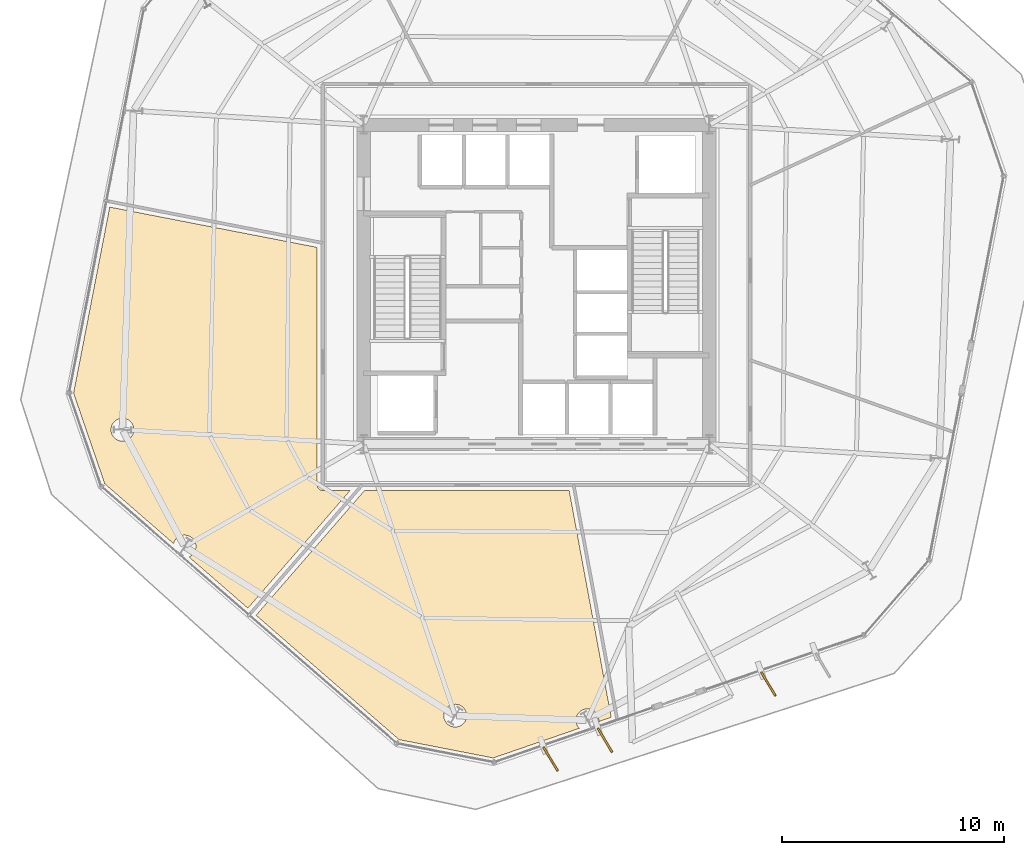
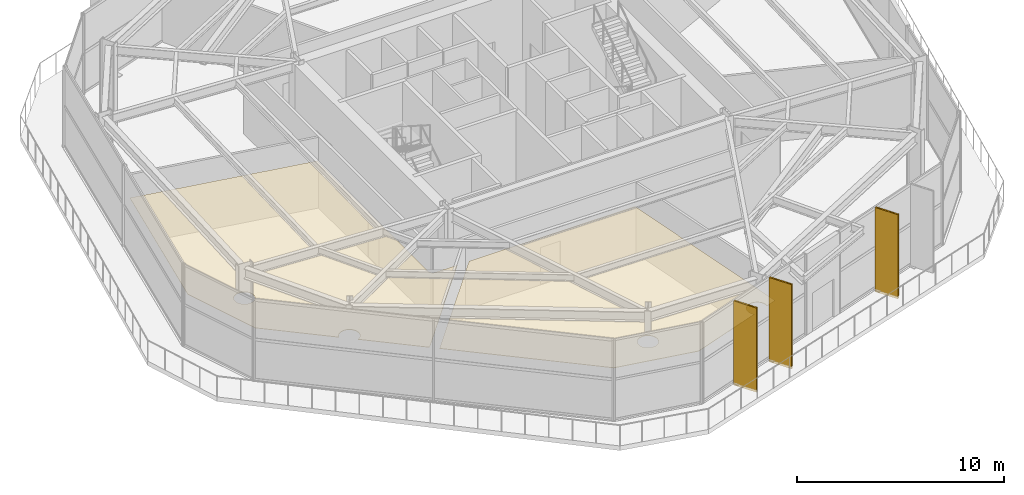
# One storey, part 12 of 16: 5 coverings, 3 shading devices.
"""IFC4 building model written with IfcOpenShell, lengths in metres."""

from ifc_helpers import new_model, si_unit, direction, frame, origin, origin_2d, place, context, subcontext, project, spatial, polyline, rectangle, outline, extrude, material, layer, layer_set, type_object, element, save


model = new_model("IFC4")

# Units and contexts
model_context = context("Model", 3, precision=1e-05, world=origin(), true_north=direction((0.0, 1.0)))
body_context = subcontext(model_context, "Body", "Model", "MODEL_VIEW")
ifc_project = project(units=[si_unit("LENGTHUNIT", "METRE"), si_unit("AREAUNIT", "SQUARE_METRE"), si_unit("VOLUMEUNIT", "CUBIC_METRE"), si_unit("PLANEANGLEUNIT", "RADIAN"), si_unit("MASSUNIT", "GRAM", prefix="KILO")], contexts=[model_context])

# Site, building, storey
site_placement = place(None, origin())
site = spatial("IfcSite", under=ifc_project, at=site_placement, CompositionType="ELEMENT")
building_placement = place(site_placement, origin())
building = spatial("IfcBuilding", under=site, at=building_placement, Name="Kranzbogen Civic Tower", CompositionType="ELEMENT")
storey_placement = place(building_placement, frame((0.0, 0.0, 97.39990234375)))
storey = spatial("IfcBuildingStorey", under=building, at=storey_placement, Name="L23", CompositionType="ELEMENT", Elevation=97.39990234375)

# Coverings
ifc_material_1 = material(Name="Pale Anodised Aluminium", Category="aluminium")
ifc_layer_1 = layer(ifc_material_1, 0.02490234375, Name="Pale Anodised Aluminium")
ifc_layer_set_1 = layer_set([ifc_layer_1], Name="Pale Anodised Aluminium")
covering_type_1 = type_object("IfcCoveringType", Name="Anodised Aluminium Vertical Fin Cladding 25 mm", PredefinedType="CLADDING", material=ifc_layer_set_1)
for number, where, z_axis, x_axis, name in (
    (1, (25.636962890625, 3.577880859375, -0.139892578125), (0.0, 0.0, 1.0), (0.512582464182, -0.858638001379, 0.0), "L23 vertical fin pale-metal cladding F5-1"),
    (2, (28.095947265625, 4.425048828125, -0.139892578125), (0.0, 0.0, 1.0), (0.512582464182, -0.858638001379, 0.0), "L23 vertical fin pale-metal cladding F5-2"),
    (3, (35.470947265625, 6.964111328125, -0.139892578125), (0.0, 0.0, 1.0), (0.512582464182, -0.858638001379, 0.0), "L23 vertical fin pale-metal cladding F5-5"),
):
    element("IfcCovering", number, at=place(storey_placement, frame(where, z_axis=z_axis, x_axis=x_axis)), inside=storey, type_object=covering_type_1, Name=name, PredefinedType="CLADDING", context=body_context, shape_type="SweptSolid", body=[
        extrude(rectangle(XDim=1.25, YDim=0.10009765625, at=origin_2d()), origin(), (0.0, 0.0, 1.0), 4.9599609375),
    ])

# Shading devices
ifc_material_2 = material(Name="Anodised Bronze Aluminium", Category="aluminium")
shading_device_type = type_object("IfcShadingDeviceType", Name="Anodised Bronze Vertical Facade Fin 1250x80", PredefinedType="USERDEFINED", material=ifc_material_2)
for number, where, z_axis, x_axis, name in (
    (4, (25.636962890625, 3.577880859375, -0.139892578125), (0.0, 0.0, 1.0), (0.512582464182, -0.858638001379, 0.0), "L23 vertical exterior shading fin F5-1"),
    (5, (28.095947265625, 4.425048828125, -0.139892578125), (0.0, 0.0, 1.0), (0.512582464182, -0.858638001379, 0.0), "L23 vertical exterior shading fin F5-2"),
    (6, (35.470947265625, 6.964111328125, -0.139892578125), (0.0, 0.0, 1.0), (0.512582464182, -0.858638001379, 0.0), "L23 vertical exterior shading fin F5-5"),
):
    element("IfcShadingDevice", number, at=place(storey_placement, frame(where, z_axis=z_axis, x_axis=x_axis)), inside=storey, type_object=shading_device_type, Name=name, ObjectType="FIN", PredefinedType="USERDEFINED", context=body_context, shape_type="SweptSolid", body=[
        extrude(rectangle(XDim=1.25, YDim=0.080078125, at=origin_2d()), origin(), (0.0, 0.0, 1.0), 4.9599609375),
    ])

# Coverings
ifc_material_3 = material(Name="Perforated Acoustic Gypsum Ceiling")
ifc_layer_2 = layer(ifc_material_3, 0.02490234375, Name="Perforated Acoustic Gypsum Ceiling")
ifc_layer_set_2 = layer_set([ifc_layer_2], Name="Perforated Acoustic Gypsum Ceiling")
covering_type_2 = type_object("IfcCoveringType", Name="Perforated Acoustic Mineral Ceiling Tile 25 mm", PredefinedType="CEILING", material=ifc_layer_set_2)
covering_1_placement = place(storey_placement, frame((0.0, 0.0, 2.900146484375)))
element("IfcCovering", 7, at=covering_1_placement, inside=storey, type_object=covering_type_2, Name="L23 Ministerial Policy Office acoustic ceiling", PredefinedType="CEILING", context=body_context, shape_type="SweptSolid", body=[
    extrude(outline(polyline([(4.10498046875, 20.092041015625), (5.738037109375, 28.493896484375), (15.10498046875, 26.674072265625), (15.10498046875, 15.949951171875), (15.10498046875, 15.94091796875), (15.10595703125, 15.93505859375), (15.10693359375, 15.9169921875), (15.10791015625, 15.910888671875), (15.112060546875, 15.89404296875), (15.113037109375, 15.886962890625), (15.117919921875, 15.8701171875), (15.1201171875, 15.864013671875), (15.126953125, 15.847900390625), (15.1298828125, 15.842041015625), (15.137939453125, 15.826904296875), (15.14208984375, 15.821044921875), (15.15087890625, 15.806884765625), (15.155029296875, 15.802001953125), (15.166015625, 15.7880859375), (15.1708984375, 15.782958984375), (15.18310546875, 15.77099609375), (15.18798828125, 15.76611328125), (15.201904296875, 15.7548828125), (15.20703125, 15.7509765625), (15.220947265625, 15.741943359375), (15.22705078125, 15.738037109375), (15.241943359375, 15.72998046875), (15.248046875, 15.72705078125), (15.263916015625, 15.719970703125), (15.27001953125, 15.718017578125), (15.287109375, 15.712890625), (15.2939453125, 15.7119140625), (15.31103515625, 15.7080078125), (15.31689453125, 15.70703125), (15.3349609375, 15.7060546875), (15.341064453125, 15.705078125), (15.35009765625, 15.705078125), (16.595947265625, 15.705078125), (11.972900390625, 10.386962890625), (9.31494140625, 12.697998046875), (9.35595703125, 12.717041015625), (9.39990234375, 12.742919921875), (9.43994140625, 12.77294921875), (9.47802734375, 12.806884765625), (9.511962890625, 12.844970703125), (9.5419921875, 12.885009765625), (9.568115234375, 12.928955078125), (9.589111328125, 12.97412109375), (9.60595703125, 13.02197265625), (9.617919921875, 13.071044921875), (9.6259765625, 13.12109375), (9.6279296875, 13.1708984375), (9.6259765625, 13.220947265625), (9.617919921875, 13.27099609375), (9.60595703125, 13.320068359375), (9.589111328125, 13.367919921875), (9.568115234375, 13.4130859375), (9.5419921875, 13.45703125), (9.511962890625, 13.4970703125), (9.47802734375, 13.534912109375), (9.43994140625, 13.569091796875), (9.39990234375, 13.59912109375), (9.35595703125, 13.625), (9.31103515625, 13.64599609375), (9.262939453125, 13.6630859375), (9.214111328125, 13.675048828125), (9.1640625, 13.68310546875), (9.114013671875, 13.68505859375), (9.06396484375, 13.68310546875), (9.013916015625, 13.675048828125), (8.965087890625, 13.6630859375), (8.9169921875, 13.64599609375), (8.8720703125, 13.625), (8.827880859375, 13.59912109375), (8.7880859375, 13.569091796875), (8.75, 13.534912109375), (8.716064453125, 13.4970703125), (8.68603515625, 13.45703125), (8.659912109375, 13.4130859375), (8.638916015625, 13.367919921875), (8.6220703125, 13.320068359375), (8.617919921875, 13.302978515625), (5.512939453125, 16.001953125), (4.10498046875, 20.092041015625)]), holes=[polyline([(6.784912109375, 18.2470703125), (6.763916015625, 18.201904296875), (6.738037109375, 18.157958984375), (6.7080078125, 18.117919921875), (6.674072265625, 18.080078125), (6.635986328125, 18.0458984375), (6.595947265625, 18.01611328125), (6.552001953125, 17.989990234375), (6.507080078125, 17.968994140625), (6.458984375, 17.951904296875), (6.409912109375, 17.93994140625), (6.360107421875, 17.931884765625), (6.31005859375, 17.929931640625), (6.260009765625, 17.931884765625), (6.2099609375, 17.93994140625), (6.160888671875, 17.951904296875), (6.113037109375, 17.968994140625), (6.068115234375, 17.989990234375), (6.02392578125, 18.01611328125), (5.98388671875, 18.0458984375), (5.946044921875, 18.080078125), (5.912109375, 18.117919921875), (5.882080078125, 18.157958984375), (5.85595703125, 18.201904296875), (5.8349609375, 18.2470703125), (5.818115234375, 18.294921875), (5.805908203125, 18.343994140625), (5.798095703125, 18.39404296875), (5.7958984375, 18.444091796875), (5.798095703125, 18.493896484375), (5.805908203125, 18.5439453125), (5.818115234375, 18.593017578125), (5.8349609375, 18.64111328125), (5.85595703125, 18.68603515625), (5.882080078125, 18.72998046875), (5.912109375, 18.77001953125), (5.946044921875, 18.80810546875), (5.98388671875, 18.842041015625), (6.02392578125, 18.8720703125), (6.068115234375, 18.89794921875), (6.113037109375, 18.9189453125), (6.160888671875, 18.93603515625), (6.2099609375, 18.947998046875), (6.260009765625, 18.9560546875), (6.31005859375, 18.9580078125), (6.360107421875, 18.9560546875), (6.409912109375, 18.947998046875), (6.458984375, 18.93603515625), (6.507080078125, 18.9189453125), (6.552001953125, 18.89794921875), (6.595947265625, 18.8720703125), (6.635986328125, 18.842041015625), (6.674072265625, 18.80810546875), (6.7080078125, 18.77001953125), (6.738037109375, 18.72998046875), (6.763916015625, 18.68603515625), (6.784912109375, 18.64111328125), (6.802001953125, 18.593017578125), (6.81396484375, 18.5439453125), (6.822021484375, 18.493896484375), (6.823974609375, 18.444091796875), (6.822021484375, 18.39404296875), (6.81396484375, 18.343994140625), (6.802001953125, 18.294921875), (6.784912109375, 18.2470703125)])]), origin(), (0.0, 0.0, 1.0), 0.02490234375),
])
covering_2_placement = place(storey_placement, frame((0.0, 0.0, 2.900146484375)))
element("IfcCovering", 8, at=covering_2_placement, inside=storey, type_object=covering_type_2, Name="L23 Directorate Admin Workspace acoustic ceiling", PredefinedType="CEILING", context=body_context, shape_type="SweptSolid", body=[
    extrude(outline(polyline([(18.802978515625, 4.449951171875), (12.343017578125, 10.06591796875), (17.2451171875, 15.705078125), (26.47607421875, 15.705078125), (28.376953125, 5.4599609375), (27.81103515625, 5.264892578125), (27.81298828125, 5.278076171875), (27.81494140625, 5.327880859375), (27.81298828125, 5.3779296875), (27.804931640625, 5.427978515625), (27.79296875, 5.47705078125), (27.77587890625, 5.52490234375), (27.7548828125, 5.570068359375), (27.72900390625, 5.614013671875), (27.698974609375, 5.654052734375), (27.6650390625, 5.69189453125), (27.626953125, 5.72607421875), (27.5869140625, 5.756103515625), (27.54296875, 5.781982421875), (27.498046875, 5.802978515625), (27.449951171875, 5.820068359375), (27.40087890625, 5.83203125), (27.35107421875, 5.840087890625), (27.301025390625, 5.842041015625), (27.2509765625, 5.840087890625), (27.200927734375, 5.83203125), (27.152099609375, 5.820068359375), (27.10400390625, 5.802978515625), (27.05908203125, 5.781982421875), (27.014892578125, 5.756103515625), (26.97509765625, 5.72607421875), (26.93701171875, 5.69189453125), (26.903076171875, 5.654052734375), (26.873046875, 5.614013671875), (26.846923828125, 5.570068359375), (26.825927734375, 5.52490234375), (26.80908203125, 5.47705078125), (26.797119140625, 5.427978515625), (26.7890625, 5.3779296875), (26.787109375, 5.327880859375), (26.7890625, 5.278076171875), (26.797119140625, 5.22802734375), (26.80908203125, 5.178955078125), (26.825927734375, 5.131103515625), (26.846923828125, 5.0859375), (26.873046875, 5.0419921875), (26.903076171875, 5.001953125), (26.93701171875, 4.964111328125), (26.93798828125, 4.964111328125), (23.049072265625, 3.625), (18.802978515625, 4.449951171875)]), holes=[polyline([(21.806884765625, 5.339111328125), (21.785888671875, 5.2939453125), (21.760009765625, 5.25), (21.72998046875, 5.2099609375), (21.696044921875, 5.172119140625), (21.657958984375, 5.137939453125), (21.617919921875, 5.10791015625), (21.573974609375, 5.08203125), (21.529052734375, 5.06103515625), (21.48095703125, 5.0439453125), (21.431884765625, 5.031982421875), (21.382080078125, 5.02392578125), (21.33203125, 5.02197265625), (21.281982421875, 5.02392578125), (21.23193359375, 5.031982421875), (21.18310546875, 5.0439453125), (21.135009765625, 5.06103515625), (21.090087890625, 5.08203125), (21.0458984375, 5.10791015625), (21.006103515625, 5.137939453125), (20.968017578125, 5.172119140625), (20.93408203125, 5.2099609375), (20.904052734375, 5.25), (20.8779296875, 5.2939453125), (20.85693359375, 5.339111328125), (20.840087890625, 5.386962890625), (20.827880859375, 5.43603515625), (20.820068359375, 5.486083984375), (20.818115234375, 5.535888671875), (20.820068359375, 5.5859375), (20.827880859375, 5.635986328125), (20.840087890625, 5.68505859375), (20.85693359375, 5.73291015625), (20.8779296875, 5.778076171875), (20.904052734375, 5.822021484375), (20.93408203125, 5.862060546875), (20.968017578125, 5.89990234375), (21.006103515625, 5.93408203125), (21.0458984375, 5.964111328125), (21.090087890625, 5.989990234375), (21.135009765625, 6.010986328125), (21.18310546875, 6.028076171875), (21.23193359375, 6.0400390625), (21.281982421875, 6.048095703125), (21.33203125, 6.050048828125), (21.382080078125, 6.048095703125), (21.431884765625, 6.0400390625), (21.48095703125, 6.028076171875), (21.529052734375, 6.010986328125), (21.573974609375, 5.989990234375), (21.617919921875, 5.964111328125), (21.657958984375, 5.93408203125), (21.696044921875, 5.89990234375), (21.72998046875, 5.862060546875), (21.760009765625, 5.822021484375), (21.785888671875, 5.778076171875), (21.806884765625, 5.73291015625), (21.823974609375, 5.68505859375), (21.8359375, 5.635986328125), (21.843994140625, 5.5859375), (21.845947265625, 5.535888671875), (21.843994140625, 5.486083984375), (21.8359375, 5.43603515625), (21.823974609375, 5.386962890625), (21.806884765625, 5.339111328125)])]), origin(), (0.0, 0.0, 1.0), 0.02490234375),
])

save(model, "model.ifc")
